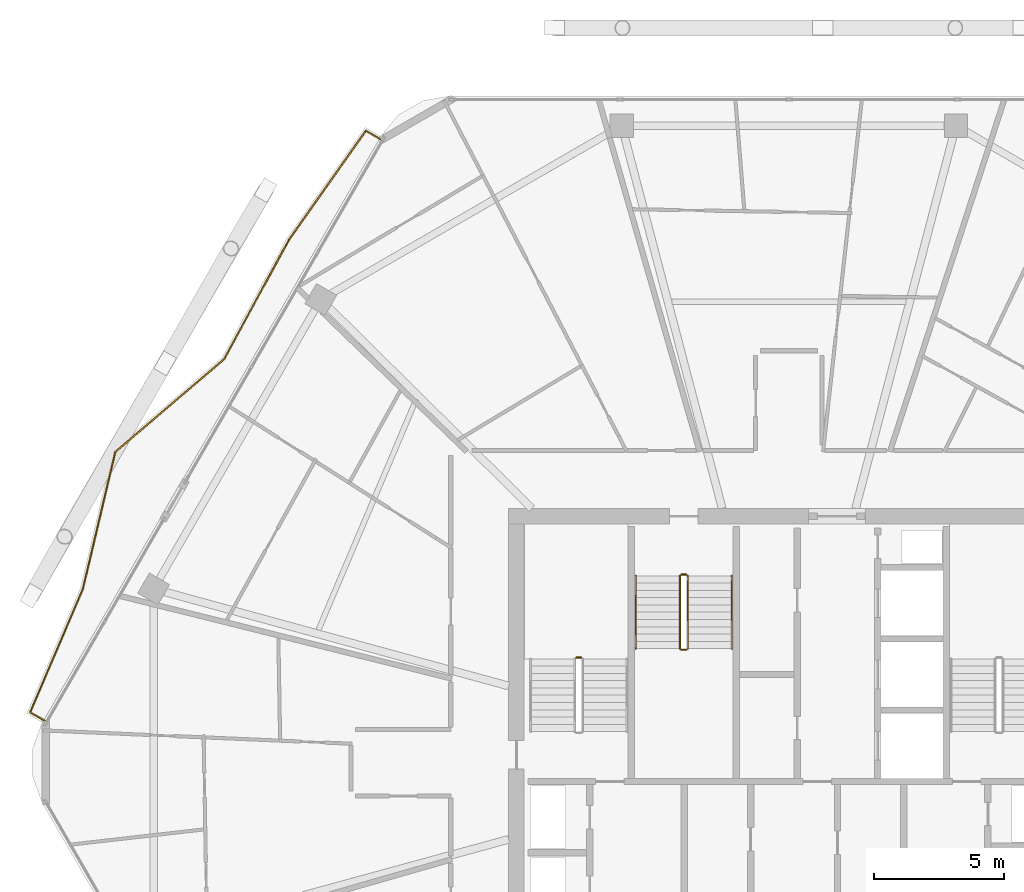
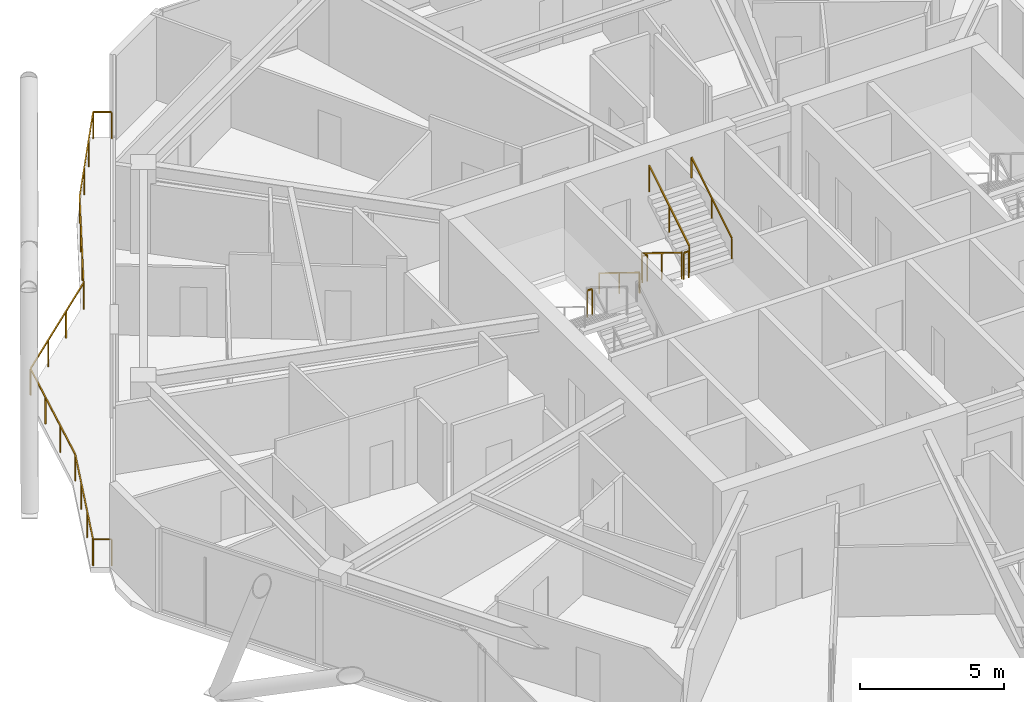
# One storey, part 28 of 29: 8 railings.
"""IFC4 building model written with IfcOpenShell, lengths in metres."""

import ifcopenshell
import ifcopenshell.guid

model = None  # the IFC model being written
_history = None  # IfcOwnerHistory: only IFC2X3 demands one
_inside = {}  # id of a spatial element -> (the spatial element, [elements in it])
_under = {}  # id of a project, library or spatial element -> (it, [spatial elements below it])
_declared = {}  # id of a project -> (the project, [libraries it declares])
_typed = {}  # id of a type object -> (the type object, [elements of that type])
_made_of = {}  # id of a material, layer set ... -> (it, [elements and type objects made of it])


def new_model(schema):
    """Start an empty IFC model of exactly this schema.

    Asked for "IFC4X3", IfcOpenShell would pick the latest addendum, in which some entities
    have other attributes; the version numbers below select the first issue.
    IFC2X3 requires an IfcOwnerHistory on every rooted entity: one is made here for all.
    """
    global model, _history
    if schema == "IFC4X3":
        model = ifcopenshell.file(schema_version=(4, 3, 0, 0))
    else:
        model = ifcopenshell.file(schema=schema)
    _inside.clear()
    _under.clear()
    _declared.clear()
    _typed.clear()
    _made_of.clear()
    _history = None
    if model.schema == "IFC2X3":
        org = make("IfcOrganization", Name="unknown")
        user = make(
            "IfcPersonAndOrganization",
            ThePerson=make("IfcPerson", FamilyName="unknown"),
            TheOrganization=org,
        )
        app = make(
            "IfcApplication",
            ApplicationDeveloper=org,
            Version="unknown",
            ApplicationFullName="unknown",
            ApplicationIdentifier="unknown",
        )
        _history = make(
            "IfcOwnerHistory",
            OwningUser=user,
            OwningApplication=app,
            ChangeAction="ADDED",
            CreationDate=0,
        )
    return model


def make(cls, **values):
    """One entity of the class cls with the attributes given. An attribute that is None is left unset."""
    return model.create_entity(
        cls, **{name: value for name, value in values.items() if value is not None}
    )


def rooted(cls, **values):
    """An entity with a GlobalId (a new one), such as an element, a storey or a relation."""
    return make(cls, GlobalId=ifcopenshell.guid.new(), OwnerHistory=_history, **values)


def si_unit(unit_type, name, prefix=None):
    """IfcSIUnit, for example si_unit("LENGTHUNIT", "METRE", prefix="MILLI")."""
    return make("IfcSIUnit", UnitType=unit_type, Prefix=prefix, Name=name)


def assignment(units):
    """IfcUnitAssignment: the units of a project."""
    return None if units is None else make("IfcUnitAssignment", Units=units)


def point(xyz):
    """IfcCartesianPoint."""
    return None if xyz is None else make("IfcCartesianPoint", Coordinates=xyz)


def direction(xyz):
    """IfcDirection."""
    return None if xyz is None else make("IfcDirection", DirectionRatios=xyz)


def frame(location, z_axis=None, x_axis=None):
    """IfcAxis2Placement3D, a coordinate frame: its origin and axes. An axis left out is left unset."""
    return make(
        "IfcAxis2Placement3D",
        Location=point(location),
        Axis=direction(z_axis),
        RefDirection=direction(x_axis),
    )


def frame_2d(location, x_axis=None):
    """IfcAxis2Placement2D, a coordinate frame in the plane: its origin and x axis."""
    return make(
        "IfcAxis2Placement2D", Location=point(location), RefDirection=direction(x_axis)
    )


def origin():
    """The frame at (0, 0, 0) with its axes left unset."""
    return frame((0.0, 0.0, 0.0))


def origin_2d():
    """The frame at (0, 0) in the plane with its x axis left unset."""
    return frame_2d((0.0, 0.0))


def place(relative_to, where):
    """IfcLocalPlacement: puts the frame where relative to a parent placement (None: the world)."""
    return make(
        "IfcLocalPlacement", PlacementRelTo=relative_to, RelativePlacement=where
    )


def context(
    kind, dimensions, precision=None, world=None, true_north=None, identifier=None
):
    """IfcGeometricRepresentationContext, for example the 3D "Model" context."""
    return make(
        "IfcGeometricRepresentationContext",
        ContextIdentifier=identifier,
        ContextType=kind,
        CoordinateSpaceDimension=dimensions,
        Precision=precision,
        WorldCoordinateSystem=world,
        TrueNorth=true_north,
    )


def subcontext(parent, identifier, kind, view, scale=None):
    """IfcGeometricRepresentationSubContext, for example "Body" below "Model"."""
    return make(
        "IfcGeometricRepresentationSubContext",
        ContextIdentifier=identifier,
        ContextType=kind,
        ParentContext=parent,
        TargetScale=scale,
        TargetView=view,
    )


def project(units=None, contexts=None):
    """IfcProject with its units and contexts."""
    return rooted(
        "IfcProject",
        Name="project",
        RepresentationContexts=contexts,
        UnitsInContext=assignment(units),
    )


def spatial(cls, under=None, at=None, **own):
    """A site, building, storey or space (cls), placed at a placement, below another one or the project."""
    s = rooted(cls, ObjectPlacement=at, **own)
    if under is not None:
        _under.setdefault(under.id(), (under, []))[1].append(s)
    return s


def profile(cls, at=None, kind="AREA", **sizes):
    """A parametric profile (cls). Its sizes go by their IFC names, for example OverallWidth=200.0."""
    return make(cls, ProfileType=kind, Position=at, **sizes)


def rectangle(**sizes):
    """IfcRectangleProfileDef."""
    return profile("IfcRectangleProfileDef", **sizes)


def extrude(swept, where, along, depth):
    """IfcExtrudedAreaSolid: the profile swept, set in the frame where, extruded along a direction by depth."""
    return make(
        "IfcExtrudedAreaSolid",
        SweptArea=swept,
        Position=where,
        ExtrudedDirection=direction(along),
        Depth=depth,
    )


def shape(context_of_items, identifier, shape_type, items):
    """IfcShapeRepresentation: the items that make up one representation, for example the "Body"."""
    return make(
        "IfcShapeRepresentation",
        ContextOfItems=context_of_items,
        RepresentationIdentifier=identifier,
        RepresentationType=shape_type,
        Items=items,
    )


def material(Name=None, Category=None):
    """IfcMaterial."""
    return make("IfcMaterial", Name=Name, Category=Category)


def made_of(thing, what):
    """Note that an element or type object is made of a material, layer set ...; save() writes the relation."""
    if what is not None:
        _made_of.setdefault(what.id(), (what, []))[1].append(thing)
    return thing


def type_object(cls, material=None, **own):
    """A type object (cls), such as IfcWallType, which elements share."""
    return made_of(rooted(cls, **own), material)


def element(
    cls,
    number,
    at=None,
    inside=None,
    cuts=None,
    type_object=None,
    material=None,
    context=None,
    identifier="Body",
    shape_type=None,
    held_by="IfcProductDefinitionShape",
    body=None,
    shapes=None,
    **own,
):
    """One element of the class cls, such as IfcWall. Its Tag is "e" and its number.

    at: its placement. inside: the storey or other place that contains it. cuts: it is an
    opening in that element (IfcRelVoidsElement). A single representation is given by context,
    identifier, shape_type and body (its items); several are given by shapes. held_by: the class
    of the entity that holds the representations. save() writes the other relations.
    """
    e = rooted(cls, Tag="e%d" % number, ObjectPlacement=at, **own)
    if body is not None:
        shapes = [shape(context, identifier, shape_type, body)]
    if shapes is not None:
        e.Representation = make(held_by, Representations=shapes)
    if inside is not None:
        _inside.setdefault(inside.id(), (inside, []))[1].append(e)
    if cuts is not None:
        rooted(
            "IfcRelVoidsElement", RelatingBuildingElement=cuts, RelatedOpeningElement=e
        )
    if type_object is not None:
        _typed.setdefault(type_object.id(), (type_object, []))[1].append(e)
    return made_of(e, material)


def aggregate(whole, parts):
    """IfcRelAggregates: a whole, such as a stair, and the parts it consists of."""
    return rooted("IfcRelAggregates", RelatingObject=whole, RelatedObjects=parts)


def save(model, path):
    """Write the relations noted so far, then the file.

    IfcRelAggregates (storeys below a building ...), IfcRelContainedInSpatialStructure (elements
    in a storey), IfcRelDefinesByType, IfcRelAssociatesMaterial and IfcRelDeclares: one each for
    every whole, place, type object, material and project.
    """
    for whole, parts in _under.values():
        aggregate(whole, parts)
    for where, things in _inside.values():
        rooted(
            "IfcRelContainedInSpatialStructure",
            RelatedElements=things,
            RelatingStructure=where,
        )
    for kind, things in _typed.values():
        rooted("IfcRelDefinesByType", RelatedObjects=things, RelatingType=kind)
    for what, things in _made_of.values():
        rooted("IfcRelAssociatesMaterial", RelatedObjects=things, RelatingMaterial=what)
    for by, libraries in _declared.values():
        rooted("IfcRelDeclares", RelatingContext=by, RelatedDefinitions=libraries)
    model.write(path)


model = new_model("IFC4")

# Units and contexts
model_context = context("Model", 3, precision=1e-05, world=origin(), true_north=direction((0.0, 1.0)))
body_context = subcontext(model_context, "Body", "Model", "MODEL_VIEW")
ifc_project = project(units=[si_unit("LENGTHUNIT", "METRE"), si_unit("AREAUNIT", "SQUARE_METRE"), si_unit("VOLUMEUNIT", "CUBIC_METRE"), si_unit("PLANEANGLEUNIT", "RADIAN"), si_unit("MASSUNIT", "GRAM", prefix="KILO")], contexts=[model_context])

# Site, building, storey
site_placement = place(None, origin())
site = spatial("IfcSite", under=ifc_project, at=site_placement, CompositionType="ELEMENT")
building_placement = place(site_placement, origin())
building = spatial("IfcBuilding", under=site, at=building_placement, Name="Zuhravey Tower", CompositionType="ELEMENT")
storey_placement = place(building_placement, frame((0.0, 0.0, 246.39990234375)))
storey = spatial("IfcBuildingStorey", under=building, at=storey_placement, Name="L62", CompositionType="ELEMENT", Elevation=246.39990234375)

# Railings
ifc_material_1 = material(Name="Stainless steel 316 and laminated glass", Category="steel")
railing_type_1 = type_object("IfcRailingType", Name="Balcony & Terrace Guardrail 1150", PredefinedType="BALUSTRADE", material=ifc_material_1)
railing_1_placement = place(storey_placement, frame((7.31689453125, 33.61669921875, 0.0)))
element("IfcRailing", 1, at=railing_1_placement, inside=storey, type_object=railing_type_1, Name="L62 Face 3 Wave Balcony Guardrail GR1", PredefinedType="BALUSTRADE", context=body_context, shape_type="SweptSolid", body=[
    extrude(rectangle(XDim=0.048095703125, YDim=0.048095703125, at=origin_2d()), frame((-0.001708984375, 0.0009765625, 1.1259765625), z_axis=(-0.866229264226, 0.499646737003, 0.0), x_axis=(-0.499646737003, -0.866229264226, 0.0)), (0.0, 0.0, 1.0), 0.6474609375),
    extrude(rectangle(XDim=0.048095703125, YDim=0.048095703125, at=origin_2d()), frame((-0.5634765625, 0.327392578125, 1.1259765625), z_axis=(0.393235827629, 0.919437645449, 0.0), x_axis=(-0.919437645449, 0.393235827629, 0.0)), (0.0, 0.0, 1.0), 5.170166015625),
    extrude(rectangle(XDim=0.048095703125, YDim=0.048095703125, at=origin_2d()), frame((1.470947265625, 5.084716796875, 1.1259765625), z_axis=(0.230469750146, 0.97307949021, 0.0), x_axis=(-0.97307949021, 0.230469750146, 0.0)), (0.0, 0.0, 1.0), 5.41748046875),
    extrude(rectangle(XDim=0.048095703125, YDim=0.048095703125, at=origin_2d()), frame((2.721435546875, 10.359619140625, 1.1259765625), z_axis=(0.760690721495, 0.649114493931, 0.0), x_axis=(-0.649114493931, 0.760690721495, 0.0)), (0.0, 0.0, 1.0), 5.5166015625),
    extrude(rectangle(XDim=0.048095703125, YDim=0.048095703125, at=origin_2d()), frame((6.92041015625, 13.943603515625, 1.1259765625), z_axis=(0.476869387505, 0.878974167573, 0.0), x_axis=(-0.878974167573, 0.476869387505, 0.0)), (0.0, 0.0, 1.0), 5.227294921875),
    extrude(rectangle(XDim=0.048095703125, YDim=0.048095703125, at=origin_2d()), frame((9.415283203125, 18.541748046875, 1.1259765625), z_axis=(0.576823017697, 0.816869148796, 0.0), x_axis=(-0.816869148796, 0.576823017697, 0.0)), (0.0, 0.0, 1.0), 5.13720703125),
    extrude(rectangle(XDim=0.048095703125, YDim=0.048095703125, at=origin_2d()), frame((12.38134765625, 22.73876953125, 1.1259765625), z_axis=(0.865941137857, -0.500145924473, 0.0), x_axis=(0.500145924473, 0.865941137857, 0.0)), (0.0, 0.0, 1.0), 0.644775390625),
    extrude(rectangle(XDim=0.0419921875, YDim=0.0419921875, at=origin_2d()), origin(), (0.0, 0.0, 1.0), 1.099853515625),
    extrude(rectangle(XDim=0.0419921875, YDim=0.0419921875, at=origin_2d()), frame((-0.564208984375, 0.325439453125, 0.0)), (0.0, 0.0, 1.0), 1.099853515625),
    extrude(rectangle(XDim=0.0419921875, YDim=0.0419921875, at=origin_2d()), frame((0.114013671875, 1.9111328125, 0.0)), (0.0, 0.0, 1.0), 1.099853515625),
    extrude(rectangle(XDim=0.0419921875, YDim=0.0419921875, at=origin_2d()), frame((0.792236328125, 3.4970703125, 0.0)), (0.0, 0.0, 1.0), 1.099853515625),
    extrude(rectangle(XDim=0.0419921875, YDim=0.0419921875, at=origin_2d()), frame((1.470458984375, 5.082763671875, 0.0)), (0.0, 0.0, 1.0), 1.099853515625),
    extrude(rectangle(XDim=0.0419921875, YDim=0.0419921875, at=origin_2d()), frame((1.886962890625, 6.84130859375, 0.0)), (0.0, 0.0, 1.0), 1.099853515625),
    extrude(rectangle(XDim=0.0419921875, YDim=0.0419921875, at=origin_2d()), frame((2.303466796875, 8.599853515625, 0.0)), (0.0, 0.0, 1.0), 1.099853515625),
    extrude(rectangle(XDim=0.0419921875, YDim=0.0419921875, at=origin_2d()), frame((2.719970703125, 10.3583984375, 0.0)), (0.0, 0.0, 1.0), 1.099853515625),
    extrude(rectangle(XDim=0.0419921875, YDim=0.0419921875, at=origin_2d()), frame((4.119873046875, 11.552978515625, 0.0)), (0.0, 0.0, 1.0), 1.099853515625),
    extrude(rectangle(XDim=0.0419921875, YDim=0.0419921875, at=origin_2d()), frame((5.51953125, 12.747314453125, 0.0)), (0.0, 0.0, 1.0), 1.099853515625),
    extrude(rectangle(XDim=0.0419921875, YDim=0.0419921875, at=origin_2d()), frame((6.91943359375, 13.94189453125, 0.0)), (0.0, 0.0, 1.0), 1.099853515625),
    extrude(rectangle(XDim=0.0419921875, YDim=0.0419921875, at=origin_2d()), frame((7.7509765625, 15.474609375, 0.0)), (0.0, 0.0, 1.0), 1.099853515625),
    extrude(rectangle(XDim=0.0419921875, YDim=0.0419921875, at=origin_2d()), frame((8.58251953125, 17.00732421875, 0.0)), (0.0, 0.0, 1.0), 1.099853515625),
    extrude(rectangle(XDim=0.0419921875, YDim=0.0419921875, at=origin_2d()), frame((9.4140625, 18.5400390625, 0.0)), (0.0, 0.0, 1.0), 1.099853515625),
    extrude(rectangle(XDim=0.0419921875, YDim=0.0419921875, at=origin_2d()), frame((10.402587890625, 19.93994140625, 0.0)), (0.0, 0.0, 1.0), 1.099853515625),
    extrude(rectangle(XDim=0.0419921875, YDim=0.0419921875, at=origin_2d()), frame((11.39111328125, 21.33984375, 0.0)), (0.0, 0.0, 1.0), 1.099853515625),
    extrude(rectangle(XDim=0.0419921875, YDim=0.0419921875, at=origin_2d()), frame((12.379638671875, 22.73974609375, 0.0)), (0.0, 0.0, 1.0), 1.099853515625),
    extrude(rectangle(XDim=0.0419921875, YDim=0.0419921875, at=origin_2d()), frame((12.94140625, 22.415283203125, 0.0)), (0.0, 0.0, 1.0), 1.099853515625),
])
ifc_material_2 = material(Name="Brushed stainless steel", Category="steel")
railing_type_2 = type_object("IfcRailingType", Name="Stair Wall Handrail 900", PredefinedType="HANDRAIL", material=ifc_material_2)
railing_2_placement = place(storey_placement, frame((30.10009765625, 39.199951171875, 0.1728515625)))
element("IfcRailing", 2, at=railing_2_placement, inside=storey, type_object=railing_type_2, Name="L62 ST3 stair handrail 1", PredefinedType="HANDRAIL", context=body_context, shape_type="SweptSolid", body=[
    extrude(rectangle(XDim=0.048095703125, YDim=0.048095703125, at=origin_2d()), frame((0.0, -0.001708984375, 0.876953125), z_axis=(0.0, -0.851089632645, 0.525020415988), x_axis=(1.0, 0.0, 0.0)), (0.0, 0.0, 1.0), 3.285888671875),
    extrude(rectangle(XDim=0.0419921875, YDim=0.0419921875, at=origin_2d()), origin(), (0.0, 0.0, 1.0), 0.849853515625),
    extrude(rectangle(XDim=0.0419921875, YDim=0.0419921875, at=origin_2d()), frame((0.0, -1.39990234375, 0.86376953125)), (0.0, 0.0, 1.0), 0.849853515625),
    extrude(rectangle(XDim=0.0419921875, YDim=0.0419921875, at=origin_2d()), frame((0.0, -2.800048828125, 1.727294921875)), (0.0, 0.0, 1.0), 0.849853515625),
])
railing_3_placement = place(storey_placement, frame((33.800048828125, 36.39990234375, 2.07275390625)))
element("IfcRailing", 3, at=railing_3_placement, inside=storey, type_object=railing_type_2, Name="L62 ST3 stair handrail 2", PredefinedType="HANDRAIL", context=body_context, shape_type="SweptSolid", body=[
    extrude(rectangle(XDim=0.048095703125, YDim=0.048095703125, at=origin_2d()), frame((0.0, 0.001708984375, 0.876953125), z_axis=(0.0, 0.851089632645, 0.525020415988), x_axis=(-1.0, 0.0, 0.0)), (0.0, 0.0, 1.0), 3.285888671875),
    extrude(rectangle(XDim=0.0419921875, YDim=0.0419921875, at=origin_2d()), origin(), (0.0, 0.0, 1.0), 0.849853515625),
    extrude(rectangle(XDim=0.0419921875, YDim=0.0419921875, at=origin_2d()), frame((0.0, 1.39990234375, 0.86376953125)), (0.0, 0.0, 1.0), 0.849853515625),
    extrude(rectangle(XDim=0.0419921875, YDim=0.0419921875, at=origin_2d()), frame((0.0, 2.800048828125, 1.727294921875)), (0.0, 0.0, 1.0), 0.849853515625),
])
ifc_material_3 = material(Name="Painted tubular steel", Category="steel")
railing_type_3 = type_object("IfcRailingType", Name="Stair Well Guardrail 1150", PredefinedType="GUARDRAIL", material=ifc_material_3)
railing_4_placement = place(storey_placement, frame((28.0, 36.050048828125, 1.900146484375)))
element("IfcRailing", 4, at=railing_4_placement, inside=storey, type_object=railing_type_3, Name="L62 ST1 stair guard 2", PredefinedType="GUARDRAIL", context=body_context, shape_type="SweptSolid", body=[
    extrude(rectangle(XDim=0.048095703125, YDim=0.048095703125, at=origin_2d()), frame((-0.001953125, 0.0, 1.1259765625), z_axis=(-1.0, 0.0, 0.0), x_axis=(0.0, -1.0, 0.0)), (0.0, 0.0, 1.0), 0.196044921875),
    extrude(rectangle(XDim=0.0419921875, YDim=0.0419921875, at=origin_2d()), origin(), (0.0, 0.0, 1.0), 1.099853515625),
    extrude(rectangle(XDim=0.0419921875, YDim=0.0419921875, at=origin_2d()), frame((-0.199951171875, 0.0, 0.0)), (0.0, 0.0, 1.0), 1.099853515625),
])
railing_5_placement = place(storey_placement, frame((31.800048828125, 39.199951171875, 0.1728515625)))
element("IfcRailing", 5, at=railing_5_placement, inside=storey, type_object=railing_type_3, Name="L62 ST3 stair guard 1", PredefinedType="GUARDRAIL", context=body_context, shape_type="SweptSolid", body=[
    extrude(rectangle(XDim=0.048095703125, YDim=0.048095703125, at=origin_2d()), frame((0.0, -0.001708984375, 1.126953125), z_axis=(0.0, -0.851089632645, 0.525020415988), x_axis=(1.0, 0.0, 0.0)), (0.0, 0.0, 1.0), 3.285888671875),
    extrude(rectangle(XDim=0.0419921875, YDim=0.0419921875, at=origin_2d()), origin(), (0.0, 0.0, 1.0), 1.099853515625),
    extrude(rectangle(XDim=0.0419921875, YDim=0.0419921875, at=origin_2d()), frame((0.0, -1.39990234375, 0.86376953125)), (0.0, 0.0, 1.0), 1.099853515625),
    extrude(rectangle(XDim=0.0419921875, YDim=0.0419921875, at=origin_2d()), frame((0.0, -2.800048828125, 1.727294921875)), (0.0, 0.0, 1.0), 1.099853515625),
])
railing_6_placement = place(storey_placement, frame((31.85009765625, 36.35009765625, 1.900146484375)))
element("IfcRailing", 6, at=railing_6_placement, inside=storey, type_object=railing_type_3, Name="L62 ST3 stair guard 2", PredefinedType="GUARDRAIL", context=body_context, shape_type="SweptSolid", body=[
    extrude(rectangle(XDim=0.048095703125, YDim=0.048095703125, at=origin_2d()), frame((0.001953125, 0.0, 1.1259765625), z_axis=(1.0, 0.0, 0.0), x_axis=(0.0, 1.0, 0.0)), (0.0, 0.0, 1.0), 0.196044921875),
    extrude(rectangle(XDim=0.0419921875, YDim=0.0419921875, at=origin_2d()), origin(), (0.0, 0.0, 1.0), 1.099853515625),
    extrude(rectangle(XDim=0.0419921875, YDim=0.0419921875, at=origin_2d()), frame((0.199951171875, 0.0, 0.0)), (0.0, 0.0, 1.0), 1.099853515625),
])
railing_7_placement = place(storey_placement, frame((32.10009765625, 36.39990234375, 2.07275390625)))
element("IfcRailing", 7, at=railing_7_placement, inside=storey, type_object=railing_type_3, Name="L62 ST3 stair guard 3", PredefinedType="GUARDRAIL", context=body_context, shape_type="SweptSolid", body=[
    extrude(rectangle(XDim=0.048095703125, YDim=0.048095703125, at=origin_2d()), frame((0.0, 0.001708984375, 1.126953125), z_axis=(0.0, 0.851089632645, 0.525020415988), x_axis=(-1.0, 0.0, 0.0)), (0.0, 0.0, 1.0), 3.285888671875),
    extrude(rectangle(XDim=0.0419921875, YDim=0.0419921875, at=origin_2d()), origin(), (0.0, 0.0, 1.0), 1.099853515625),
    extrude(rectangle(XDim=0.0419921875, YDim=0.0419921875, at=origin_2d()), frame((0.0, 1.39990234375, 0.86376953125)), (0.0, 0.0, 1.0), 1.099853515625),
    extrude(rectangle(XDim=0.0419921875, YDim=0.0419921875, at=origin_2d()), frame((0.0, 2.800048828125, 1.727294921875)), (0.0, 0.0, 1.0), 1.099853515625),
])
railing_8_placement = place(storey_placement, frame((31.85009765625, 39.25, 0.0)))
element("IfcRailing", 8, at=railing_8_placement, inside=storey, type_object=railing_type_3, Name="L62 ST3 stair guard 4", PredefinedType="GUARDRAIL", context=body_context, shape_type="SweptSolid", body=[
    extrude(rectangle(XDim=0.048095703125, YDim=0.048095703125, at=origin_2d()), frame((0.001953125, 0.0, 1.1259765625), z_axis=(1.0, 0.0, 0.0), x_axis=(0.0, 1.0, 0.0)), (0.0, 0.0, 1.0), 0.196044921875),
    extrude(rectangle(XDim=0.0419921875, YDim=0.0419921875, at=origin_2d()), origin(), (0.0, 0.0, 1.0), 1.099853515625),
    extrude(rectangle(XDim=0.0419921875, YDim=0.0419921875, at=origin_2d()), frame((0.199951171875, 0.0, 0.0)), (0.0, 0.0, 1.0), 1.099853515625),
])

save(model, "model.ifc")
